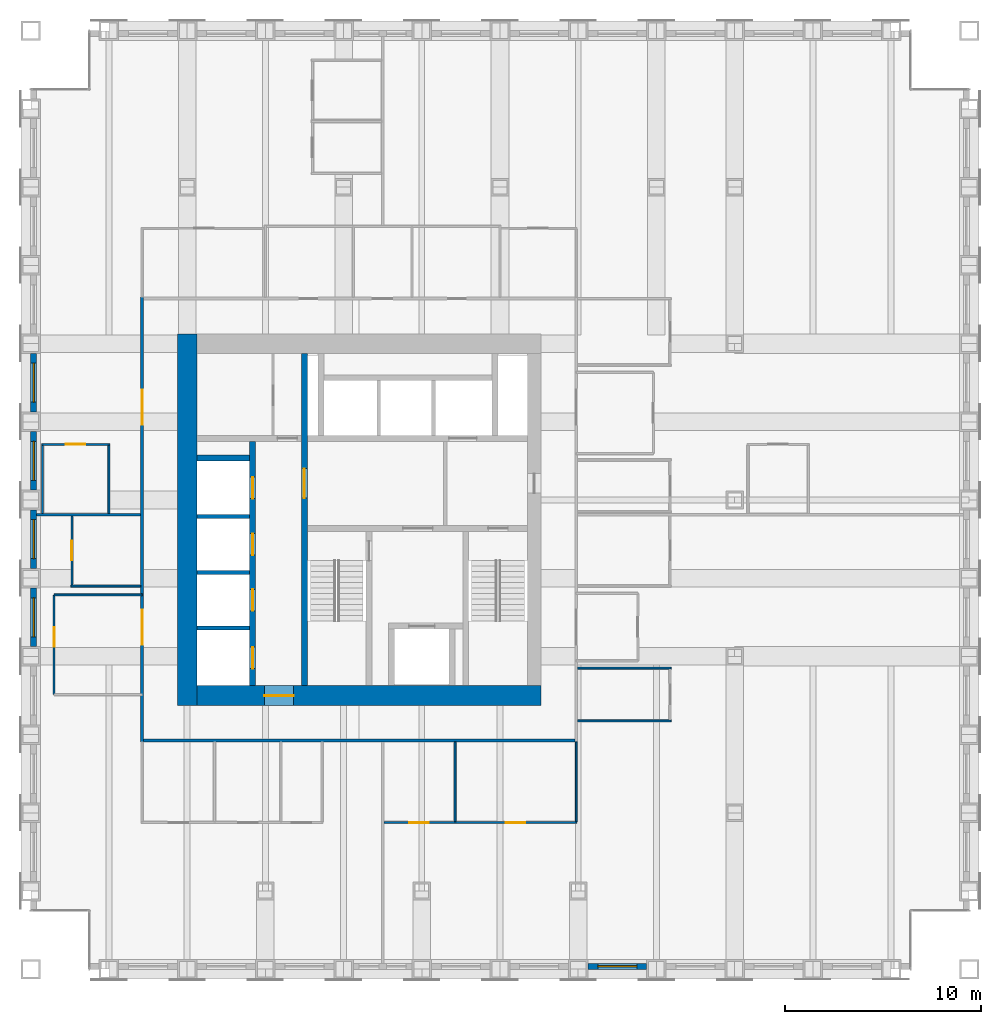
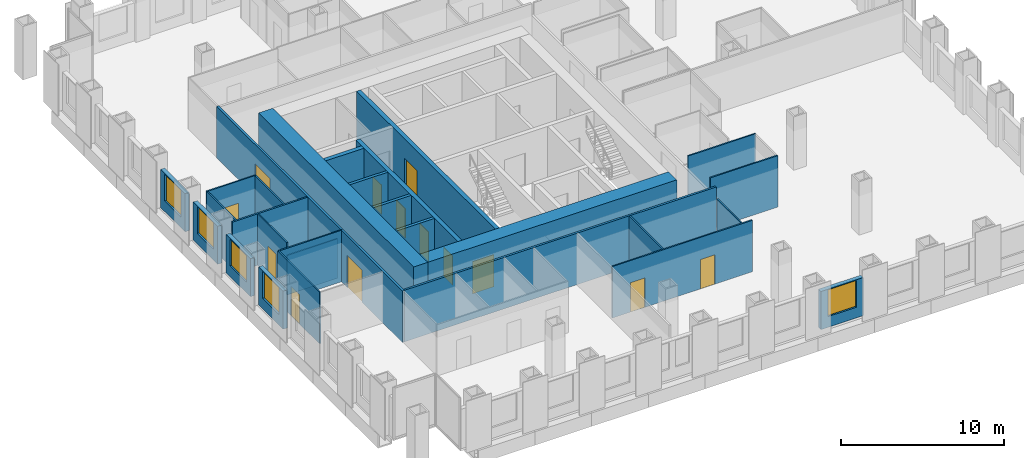
# One storey, part 11 of 16: 28 walls, 13 doors, 5 windows, 18 openings.
"""IFC4 building model written with IfcOpenShell, lengths in metres."""

from ifc_helpers import new_model, si_unit, direction, frame, frame_2d, origin, place, context, subcontext, project, spatial, rectangle, extrude, material, layer, layer_set, type_object, element, fill, save


model = new_model("IFC4")

# Units and contexts
model_context = context("Model", 3, precision=1e-05, world=origin(), true_north=direction((0.0, 1.0)))
body_context = subcontext(model_context, "Body", "Model", "MODEL_VIEW")
ifc_project = project(units=[si_unit("LENGTHUNIT", "METRE"), si_unit("AREAUNIT", "SQUARE_METRE"), si_unit("VOLUMEUNIT", "CUBIC_METRE"), si_unit("PLANEANGLEUNIT", "RADIAN"), si_unit("MASSUNIT", "GRAM", prefix="KILO")], contexts=[model_context])

# Site, building, storey
site_placement = place(None, origin())
site = spatial("IfcSite", under=ifc_project, at=site_placement, CompositionType="ELEMENT")
building_placement = place(site_placement, origin())
building = spatial("IfcBuilding", under=site, at=building_placement, Name="Rimbunsela Tower", CompositionType="ELEMENT")
storey_placement = place(building_placement, frame((0.0, 0.0, 129.39990234375)))
storey = spatial("IfcBuildingStorey", under=building, at=storey_placement, Name="L31", CompositionType="ELEMENT", Elevation=129.39990234375)

# Wall, opening, door
ifc_material_1 = material(Name="Concrete fc' 80 MPa", Category="concrete")
ifc_layer_1 = layer(ifc_material_1, 0.300048828125)
ifc_layer_set_1 = layer_set([ifc_layer_1], Name="Core internal wall 300")
wall_type_1 = type_object("IfcWallType", Name="Core internal wall 300", PredefinedType="SHEAR", material=ifc_layer_set_1)
wall_1_placement = place(storey_placement, frame((24.0, 18.5, -0.14990234375), z_axis=(0.0, 0.0, 1.0), x_axis=(0.0, 1.0, 0.0)))
wall_1 = element("IfcWall", 1, at=wall_1_placement, inside=storey, type_object=wall_type_1, Name="Core wall at stair A", PredefinedType="SHEAR", context=body_context, shape_type="SweptSolid", body=[
    extrude(rectangle(XDim=17.0, YDim=0.300048828125, at=frame_2d((8.5, 0.0))), origin(), (0.0, 0.0, 1.0), 4.0),
])
opening_1_placement = place(wall_1_placement, frame((9.60009765625, 0.0, 0.14990234375)))
opening_1 = element("IfcOpeningElement", 2, at=opening_1_placement, cuts=wall_1, Name="Opening D03", PredefinedType="OPENING", context=body_context, shape_type="SweptSolid", body=[
    extrude(rectangle(XDim=1.5, YDim=2.39990234375, at=frame_2d((0.75, 1.199951171875))), frame((0.0, 0.159912109375, 0.0), z_axis=(0.0, -1.0, 0.0), x_axis=(1.0, 0.0, 0.0)), (0.0, 0.0, 1.0), 0.320068359375),
])
ifc_material_2 = material(Name="Steel door, fire rated", Category="steel")
door_type_1 = type_object("IfcDoorType", Name="Core lobby door 1500", OperationType="DOUBLE_DOOR_DOUBLE_SWING", PredefinedType="DOOR", material=ifc_material_2)
door_1_placement = place(opening_1_placement, origin())
door_1 = element("IfcDoor", 3, at=door_1_placement, inside=storey, type_object=door_type_1, Name="West lobby door", OperationType="DOUBLE_DOOR_DOUBLE_SWING", OverallHeight=2.39990234375, OverallWidth=1.5, PredefinedType="DOOR", context=body_context, shape_type="SweptSolid", body=[
    extrude(rectangle(XDim=1.5, YDim=2.39990234375, at=frame_2d((0.75, 1.199951171875))), frame((0.0, 0.02490234375, 0.0), z_axis=(0.0, -1.0, 0.0), x_axis=(1.0, 0.0, 0.0)), (0.0, 0.0, 1.0), 0.050048828125),
])
fill(opening_1, door_1)

# Wall, openings, doors
wall_2_placement = place(storey_placement, frame((21.35009765625, 18.5, -0.14990234375), z_axis=(0.0, 0.0, 1.0), x_axis=(0.0, 1.0, 0.0)))
wall_2 = element("IfcWall", 4, at=wall_2_placement, inside=storey, type_object=wall_type_1, Name="Lift shaft front west", PredefinedType="SHEAR", context=body_context, shape_type="SweptSolid", body=[
    extrude(rectangle(XDim=12.5, YDim=0.300048828125, at=frame_2d((6.25, 0.0))), origin(), (0.0, 0.0, 1.0), 4.0),
])
opening_2_placement = place(wall_2_placement, frame((0.875, 0.0, 0.14990234375)))
opening_2 = element("IfcOpeningElement", 5, at=opening_2_placement, cuts=wall_2, Name="Opening LD1", PredefinedType="OPENING", context=body_context, shape_type="SweptSolid", body=[
    extrude(rectangle(XDim=1.10009765625, YDim=2.199951171875, at=frame_2d((0.550048828125, 1.10009765625))), frame((0.0, 0.159912109375, 0.0), z_axis=(0.0, -1.0, 0.0), x_axis=(1.0, 0.0, 0.0)), (0.0, 0.0, 1.0), 0.320068359375),
])
opening_3_placement = place(wall_2_placement, frame((3.824951171875, 0.0, 0.14990234375)))
opening_3 = element("IfcOpeningElement", 6, at=opening_3_placement, cuts=wall_2, Name="Opening LD1", PredefinedType="OPENING", context=body_context, shape_type="SweptSolid", body=[
    extrude(rectangle(XDim=1.10009765625, YDim=2.199951171875, at=frame_2d((0.550048828125, 1.10009765625))), frame((0.0, 0.159912109375, 0.0), z_axis=(0.0, -1.0, 0.0), x_axis=(1.0, 0.0, 0.0)), (0.0, 0.0, 1.0), 0.320068359375),
])
opening_4_placement = place(wall_2_placement, frame((6.675048828125, 0.0, 0.14990234375)))
opening_4 = element("IfcOpeningElement", 7, at=opening_4_placement, cuts=wall_2, Name="Opening LD1", PredefinedType="OPENING", context=body_context, shape_type="SweptSolid", body=[
    extrude(rectangle(XDim=1.10009765625, YDim=2.199951171875, at=frame_2d((0.550048828125, 1.10009765625))), frame((0.0, 0.159912109375, 0.0), z_axis=(0.0, -1.0, 0.0), x_axis=(1.0, 0.0, 0.0)), (0.0, 0.0, 1.0), 0.320068359375),
])
opening_5_placement = place(wall_2_placement, frame((9.574951171875, 0.0, 0.14990234375)))
opening_5 = element("IfcOpeningElement", 8, at=opening_5_placement, cuts=wall_2, Name="Opening LD1", PredefinedType="OPENING", context=body_context, shape_type="SweptSolid", body=[
    extrude(rectangle(XDim=1.10009765625, YDim=2.199951171875, at=frame_2d((0.550048828125, 1.10009765625))), frame((0.0, 0.159912109375, 0.0), z_axis=(0.0, -1.0, 0.0), x_axis=(1.0, 0.0, 0.0)), (0.0, 0.0, 1.0), 0.320068359375),
])
ifc_material_3 = material(Name="Steel door, fire rated", Category="steel")
door_type_2 = type_object("IfcDoorType", Name="Lift landing door 1100", OperationType="DOUBLE_DOOR_SLIDING", PredefinedType="DOOR", material=ifc_material_3)
door_2_placement = place(opening_2_placement, origin())
door_2 = element("IfcDoor", 9, at=door_2_placement, inside=storey, type_object=door_type_2, Name="Lift landing door ML1", OperationType="DOUBLE_DOOR_SLIDING", OverallHeight=2.199951171875, OverallWidth=1.10009765625, PredefinedType="DOOR", context=body_context, shape_type="SweptSolid", body=[
    extrude(rectangle(XDim=1.10009765625, YDim=2.199951171875, at=frame_2d((0.550048828125, 1.10009765625))), frame((0.0, 0.02490234375, 0.0), z_axis=(0.0, -1.0, 0.0), x_axis=(1.0, 0.0, 0.0)), (0.0, 0.0, 1.0), 0.050048828125),
])
fill(opening_2, door_2)
door_3_placement = place(opening_3_placement, origin())
door_3 = element("IfcDoor", 10, at=door_3_placement, inside=storey, type_object=door_type_2, Name="Lift landing door ML2", OperationType="DOUBLE_DOOR_SLIDING", OverallHeight=2.199951171875, OverallWidth=1.10009765625, PredefinedType="DOOR", context=body_context, shape_type="SweptSolid", body=[
    extrude(rectangle(XDim=1.10009765625, YDim=2.199951171875, at=frame_2d((0.550048828125, 1.10009765625))), frame((0.0, 0.02490234375, 0.0), z_axis=(0.0, -1.0, 0.0), x_axis=(1.0, 0.0, 0.0)), (0.0, 0.0, 1.0), 0.050048828125),
])
fill(opening_3, door_3)
door_4_placement = place(opening_4_placement, origin())
door_4 = element("IfcDoor", 11, at=door_4_placement, inside=storey, type_object=door_type_2, Name="Lift landing door ML3", OperationType="DOUBLE_DOOR_SLIDING", OverallHeight=2.199951171875, OverallWidth=1.10009765625, PredefinedType="DOOR", context=body_context, shape_type="SweptSolid", body=[
    extrude(rectangle(XDim=1.10009765625, YDim=2.199951171875, at=frame_2d((0.550048828125, 1.10009765625))), frame((0.0, 0.02490234375, 0.0), z_axis=(0.0, -1.0, 0.0), x_axis=(1.0, 0.0, 0.0)), (0.0, 0.0, 1.0), 0.050048828125),
])
fill(opening_4, door_4)
door_5_placement = place(opening_5_placement, origin())
door_5 = element("IfcDoor", 12, at=door_5_placement, inside=storey, type_object=door_type_2, Name="Lift landing door ML4", OperationType="DOUBLE_DOOR_SLIDING", OverallHeight=2.199951171875, OverallWidth=1.10009765625, PredefinedType="DOOR", context=body_context, shape_type="SweptSolid", body=[
    extrude(rectangle(XDim=1.10009765625, YDim=2.199951171875, at=frame_2d((0.550048828125, 1.10009765625))), frame((0.0, 0.02490234375, 0.0), z_axis=(0.0, -1.0, 0.0), x_axis=(1.0, 0.0, 0.0)), (0.0, 0.0, 1.0), 0.050048828125),
])
fill(opening_5, door_5)

# Walls
wall_3_placement = place(storey_placement, frame((18.5, 30.14990234375, -0.14990234375), z_axis=(0.0, 0.0, 1.0), x_axis=(1.0, 0.0, 0.0)))
element("IfcWall", 13, at=wall_3_placement, inside=storey, type_object=wall_type_1, Name="Lift shaft rear west", PredefinedType="SHEAR", context=body_context, shape_type="SweptSolid", body=[
    extrude(rectangle(XDim=2.699951171875, YDim=0.300048828125, at=frame_2d((1.35009765625, 0.0))), origin(), (0.0, 0.0, 1.0), 4.0),
])
ifc_material_4 = material(Name="Concrete fc' 80 MPa", Category="concrete")
ifc_layer_2 = layer(ifc_material_4, 1.0)
ifc_layer_set_2 = layer_set([ifc_layer_2], Name="Core wall 1000")
wall_type_2 = type_object("IfcWallType", Name="Core wall 1000", PredefinedType="SHEAR", material=ifc_layer_set_2)
wall_4_placement = place(storey_placement, frame((18.0, 17.5, -0.14990234375), z_axis=(0.0, 0.0, 1.0), x_axis=(0.0, 1.0, 0.0)))
element("IfcWall", 14, at=wall_4_placement, inside=storey, type_object=wall_type_2, Name="Core wall west", PredefinedType="SHEAR", context=body_context, shape_type="SweptSolid", body=[
    extrude(rectangle(XDim=19.0, YDim=1.0, at=frame_2d((9.5, 0.0))), origin(), (0.0, 0.0, 1.0), 4.0),
])

# Wall, opening, door
wall_5_placement = place(storey_placement, frame((18.5, 18.0, -0.14990234375), z_axis=(0.0, 0.0, 1.0), x_axis=(1.0, 0.0, 0.0)))
wall_5 = element("IfcWall", 15, at=wall_5_placement, inside=storey, type_object=wall_type_2, Name="Core wall south", PredefinedType="SHEAR", context=body_context, shape_type="SweptSolid", body=[
    extrude(rectangle(XDim=17.60009765625, YDim=1.0, at=frame_2d((8.800048828125, 0.0))), origin(), (0.0, 0.0, 1.0), 4.0),
])
opening_6_placement = place(wall_5_placement, frame((3.449951171875, 0.0, 0.14990234375)))
opening_6 = element("IfcOpeningElement", 16, at=opening_6_placement, cuts=wall_5, Name="Opening D03", PredefinedType="OPENING", context=body_context, shape_type="SweptSolid", body=[
    extrude(rectangle(XDim=1.5, YDim=2.39990234375, at=frame_2d((0.75, 1.199951171875))), frame((0.0, 0.510009765625, 0.0), z_axis=(0.0, -1.0, 0.0), x_axis=(1.0, 0.0, 0.0)), (0.0, 0.0, 1.0), 1.02001953125),
])
door_6_placement = place(opening_6_placement, origin())
door_6 = element("IfcDoor", 17, at=door_6_placement, inside=storey, type_object=door_type_1, Name="Core door south", OperationType="DOUBLE_DOOR_DOUBLE_SWING", OverallHeight=2.39990234375, OverallWidth=1.5, PredefinedType="DOOR", context=body_context, shape_type="SweptSolid", body=[
    extrude(rectangle(XDim=1.5, YDim=2.39990234375, at=frame_2d((0.75, 1.199951171875))), frame((0.0, 0.02490234375, 0.0), z_axis=(0.0, -1.0, 0.0), x_axis=(1.0, 0.0, 0.0)), (0.0, 0.0, 1.0), 0.050048828125),
])
fill(opening_6, door_6)

# Walls
ifc_material_5 = material(Name="Concrete blockwork", Category="masonry")
ifc_layer_3 = layer(ifc_material_5, 0.199951171875)
ifc_layer_set_3 = layer_set([ifc_layer_3], Name="Lift shaft wall 200")
wall_type_3 = type_object("IfcWallType", Name="Lift shaft wall 200", PredefinedType="SOLIDWALL", material=ifc_layer_set_3)
for number, where, z_axis, x_axis, name in (
    (18, (18.5, 21.449951171875, -0.14990234375), (0.0, 0.0, 1.0), (1.0, 0.0, 0.0), "Lift shaft separation"),
    (19, (18.5, 24.300048828125, -0.14990234375), (0.0, 0.0, 1.0), (1.0, 0.0, 0.0), "Lift shaft separation"),
    (20, (18.5, 27.14990234375, -0.14990234375), (0.0, 0.0, 1.0), (1.0, 0.0, 0.0), "Lift shaft separation"),
):
    element("IfcWall", number, at=place(storey_placement, frame(where, z_axis=z_axis, x_axis=x_axis)), inside=storey, type_object=wall_type_3, Name=name, PredefinedType="SOLIDWALL", context=body_context, shape_type="SweptSolid", body=[
        extrude(rectangle(XDim=2.699951171875, YDim=0.199951171875, at=frame_2d((1.35009765625, 0.0))), origin(), (0.0, 0.0, 1.0), 4.0),
    ])

# Wall, openings, doors
ifc_material_6 = material(Name="Gypsum board on steel studs", Category="steel")
ifc_layer_4 = layer(ifc_material_6, 0.10009765625)
ifc_layer_set_4 = layer_set([ifc_layer_4], Name="Office partition 100")
wall_type_4 = type_object("IfcWallType", Name="Office partition 100", PredefinedType="PARTITIONING", material=ifc_layer_set_4)
wall_6_placement = place(storey_placement, frame((28.06103515625, 11.5, 0.0), z_axis=(0.0, 0.0, 1.0), x_axis=(1.0, 0.0, 0.0)))
wall_6 = element("IfcWall", 21, at=wall_6_placement, inside=storey, type_object=wall_type_4, Name="Office partition", PredefinedType="PARTITIONING", context=body_context, shape_type="SweptSolid", body=[
    extrude(rectangle(XDim=9.888916015625, YDim=0.10009765625, at=frame_2d((4.9443359375, 0.0))), origin(), (0.0, 0.0, 1.0), 3.85009765625),
])
opening_7_placement = place(wall_6_placement, frame((1.2900390625, 0.0, 0.0)))
opening_7 = element("IfcOpeningElement", 22, at=opening_7_placement, cuts=wall_6, Name="Opening D17", PredefinedType="OPENING", context=body_context, shape_type="SweptSolid", body=[
    extrude(rectangle(XDim=1.0, YDim=2.199951171875, at=frame_2d((0.5, 1.10009765625))), frame((0.0, 0.06005859375, 0.0), z_axis=(0.0, -1.0, 0.0), x_axis=(1.0, 0.0, 0.0)), (0.0, 0.0, 1.0), 0.1201171875),
])
opening_8_placement = place(wall_6_placement, frame((6.239501953125, 0.0, 0.0)))
opening_8 = element("IfcOpeningElement", 23, at=opening_8_placement, cuts=wall_6, Name="Opening D16", PredefinedType="OPENING", context=body_context, shape_type="SweptSolid", body=[
    extrude(rectangle(XDim=1.0, YDim=2.199951171875, at=frame_2d((0.5, 1.10009765625))), frame((0.0, 0.06005859375, 0.0), z_axis=(0.0, -1.0, 0.0), x_axis=(1.0, 0.0, 0.0)), (0.0, 0.0, 1.0), 0.1201171875),
])
ifc_material_7 = material(Name="Glazed aluminium door", Category="aluminium")
door_type_3 = type_object("IfcDoorType", Name="Meeting room door 1000 glazed", OperationType="SINGLE_SWING_RIGHT", PredefinedType="DOOR", material=ifc_material_7)
door_7_placement = place(opening_7_placement, origin())
door_7 = element("IfcDoor", 24, at=door_7_placement, inside=storey, type_object=door_type_3, Name="Meeting room door", OperationType="SINGLE_SWING_RIGHT", OverallHeight=2.199951171875, OverallWidth=1.0, PredefinedType="DOOR", context=body_context, shape_type="SweptSolid", body=[
    extrude(rectangle(XDim=1.0, YDim=2.199951171875, at=frame_2d((0.5, 1.10009765625))), frame((0.0, 0.02490234375, 0.0), z_axis=(0.0, -1.0, 0.0), x_axis=(1.0, 0.0, 0.0)), (0.0, 0.0, 1.0), 0.050048828125),
])
fill(opening_7, door_7)
ifc_material_8 = material(Name="Timber door", Category="wood")
door_type_4 = type_object("IfcDoorType", Name="Office door 1000", OperationType="SINGLE_SWING_LEFT", PredefinedType="DOOR", material=ifc_material_8)
door_8_placement = place(opening_8_placement, origin())
door_8 = element("IfcDoor", 25, at=door_8_placement, inside=storey, type_object=door_type_4, Name="Office door", OperationType="SINGLE_SWING_LEFT", OverallHeight=2.199951171875, OverallWidth=1.0, PredefinedType="DOOR", context=body_context, shape_type="SweptSolid", body=[
    extrude(rectangle(XDim=1.0, YDim=2.199951171875, at=frame_2d((0.5, 1.10009765625))), frame((0.0, 0.02490234375, 0.0), z_axis=(0.0, -1.0, 0.0), x_axis=(1.0, 0.0, 0.0)), (0.0, 0.0, 1.0), 0.050048828125),
])
fill(opening_8, door_8)

# Walls
for number, where, z_axis, x_axis, name in (
    (26, (37.97509765625, 16.699951171875, 0.0), (0.0, 0.0, 1.0), (1.0, 0.0, 0.0), "Office partition"),
    (27, (37.97509765625, 19.39892578125, 0.0), (0.0, 0.0, 1.0), (1.0, 0.0, 0.0), "Office partition"),
):
    element("IfcWall", number, at=place(storey_placement, frame(where, z_axis=z_axis, x_axis=x_axis)), inside=storey, type_object=wall_type_4, Name=name, PredefinedType="PARTITIONING", context=body_context, shape_type="SweptSolid", body=[
        extrude(rectangle(XDim=4.77490234375, YDim=0.10009765625, at=frame_2d((2.387451171875, 0.0))), origin(), (0.0, 0.0, 1.0), 3.85009765625),
    ])
wall_7_placement = place(storey_placement, frame((12.050048828125, 23.59912109375, 0.0), z_axis=(0.0, 0.0, 1.0), x_axis=(1.0, 0.0, 0.0)))
element("IfcWall", 28, at=wall_7_placement, inside=storey, type_object=wall_type_4, Name="Office partition", PredefinedType="PARTITIONING", context=body_context, shape_type="SweptSolid", body=[
    extrude(rectangle(XDim=3.574951171875, YDim=0.10009765625, at=frame_2d((1.78759765625, 0.0))), origin(), (0.0, 0.0, 1.0), 2.9501953125),
])

# Wall, opening, door
wall_8_placement = place(storey_placement, frame((10.550048828125, 30.85009765625, 0.0), z_axis=(0.0, 0.0, 1.0), x_axis=(1.0, 0.0, 0.0)))
wall_8 = element("IfcWall", 29, at=wall_8_placement, inside=storey, type_object=wall_type_4, Name="Office partition", PredefinedType="PARTITIONING", context=body_context, shape_type="SweptSolid", body=[
    extrude(rectangle(XDim=3.5, YDim=0.10009765625, at=frame_2d((1.75, 0.0))), origin(), (0.0, 0.0, 1.0), 3.85009765625),
])
opening_9_placement = place(wall_8_placement, frame((1.25, 0.0, 0.0)))
opening_9 = element("IfcOpeningElement", 30, at=opening_9_placement, cuts=wall_8, Name="Opening D16", PredefinedType="OPENING", context=body_context, shape_type="SweptSolid", body=[
    extrude(rectangle(XDim=1.0, YDim=2.199951171875, at=frame_2d((0.5, 1.10009765625))), frame((0.0, 0.06005859375, 0.0), z_axis=(0.0, -1.0, 0.0), x_axis=(1.0, 0.0, 0.0)), (0.0, 0.0, 1.0), 0.1201171875),
])
door_9_placement = place(opening_9_placement, origin())
door_9 = element("IfcDoor", 31, at=door_9_placement, inside=storey, type_object=door_type_4, Name="Office door", OperationType="SINGLE_SWING_LEFT", OverallHeight=2.199951171875, OverallWidth=1.0, PredefinedType="DOOR", context=body_context, shape_type="SweptSolid", body=[
    extrude(rectangle(XDim=1.0, YDim=2.199951171875, at=frame_2d((0.5, 1.10009765625))), frame((0.0, 0.02490234375, 0.0), z_axis=(0.0, -1.0, 0.0), x_axis=(1.0, 0.0, 0.0)), (0.0, 0.0, 1.0), 0.050048828125),
])
fill(opening_9, door_9)

# Wall
wall_9_placement = place(storey_placement, frame((10.60009765625, 27.31005859375, 0.0), z_axis=(0.0, 0.0, 1.0), x_axis=(0.0, 1.0, 0.0)))
element("IfcWall", 32, at=wall_9_placement, inside=storey, type_object=wall_type_4, Name="Office partition", PredefinedType="PARTITIONING", context=body_context, shape_type="SweptSolid", body=[
    extrude(rectangle(XDim=3.489990234375, YDim=0.10009765625, at=frame_2d((1.7451171875, 0.0))), origin(), (0.0, 0.0, 1.0), 3.85009765625),
])

# Wall, opening, door
wall_10_placement = place(storey_placement, frame((12.10009765625, 23.64892578125, 0.0), z_axis=(0.0, 0.0, 1.0), x_axis=(0.0, 1.0, 0.0)))
wall_10 = element("IfcWall", 33, at=wall_10_placement, inside=storey, type_object=wall_type_4, Name="Office partition", PredefinedType="PARTITIONING", context=body_context, shape_type="SweptSolid", body=[
    extrude(rectangle(XDim=3.5400390625, YDim=0.10009765625, at=frame_2d((1.77001953125, 0.0))), origin(), (0.0, 0.0, 1.0), 3.85009765625),
])
opening_10_placement = place(wall_10_placement, frame((1.27490234375, 0.0, 0.0)))
opening_10 = element("IfcOpeningElement", 34, at=opening_10_placement, cuts=wall_10, Name="Opening D16", PredefinedType="OPENING", context=body_context, shape_type="SweptSolid", body=[
    extrude(rectangle(XDim=1.0, YDim=2.199951171875, at=frame_2d((0.5, 1.10009765625))), frame((0.0, 0.06005859375, 0.0), z_axis=(0.0, -1.0, 0.0), x_axis=(1.0, 0.0, 0.0)), (0.0, 0.0, 1.0), 0.1201171875),
])
door_10_placement = place(opening_10_placement, origin())
door_10 = element("IfcDoor", 35, at=door_10_placement, inside=storey, type_object=door_type_4, Name="Office door", OperationType="SINGLE_SWING_LEFT", OverallHeight=2.199951171875, OverallWidth=1.0, PredefinedType="DOOR", context=body_context, shape_type="SweptSolid", body=[
    extrude(rectangle(XDim=1.0, YDim=2.199951171875, at=frame_2d((0.5, 1.10009765625))), frame((0.0, 0.02490234375, 0.0), z_axis=(0.0, -1.0, 0.0), x_axis=(1.0, 0.0, 0.0)), (0.0, 0.0, 1.0), 0.050048828125),
])
fill(opening_10, door_10)

# Walls
wall_11_placement = place(storey_placement, frame((14.0, 27.31005859375, 0.0), z_axis=(0.0, 0.0, 1.0), x_axis=(0.0, 1.0, 0.0)))
element("IfcWall", 36, at=wall_11_placement, inside=storey, type_object=wall_type_4, Name="Office partition", PredefinedType="PARTITIONING", context=body_context, shape_type="SweptSolid", body=[
    extrude(rectangle(XDim=3.489990234375, YDim=0.10009765625, at=frame_2d((1.7451171875, 0.0))), origin(), (0.0, 0.0, 1.0), 3.85009765625),
])
wall_12_placement = place(storey_placement, frame((31.700927734375, 11.550048828125, 0.0), z_axis=(0.0, 0.0, 1.0), x_axis=(0.0, 1.0, 0.0)))
element("IfcWall", 37, at=wall_12_placement, inside=storey, type_object=wall_type_4, Name="Office partition", PredefinedType="PARTITIONING", context=body_context, shape_type="SweptSolid", body=[
    extrude(rectangle(XDim=4.074951171875, YDim=0.10009765625, at=frame_2d((2.03759765625, 0.0))), origin(), (0.0, 0.0, 1.0), 3.85009765625),
])
wall_13_placement = place(storey_placement, frame((37.89990234375, 11.550048828125, 0.0), z_axis=(0.0, 0.0, 1.0), x_axis=(0.0, 1.0, 0.0)))
element("IfcWall", 38, at=wall_13_placement, inside=storey, type_object=wall_type_4, Name="Office partition", PredefinedType="PARTITIONING", context=body_context, shape_type="SweptSolid", body=[
    extrude(rectangle(XDim=4.074951171875, YDim=0.10009765625, at=frame_2d((2.03759765625, 0.0))), origin(), (0.0, 0.0, 1.0), 2.9501953125),
])
wall_14_placement = place(storey_placement, frame((15.699951171875, 23.14892578125, 0.0), z_axis=(0.0, 0.0, 1.0), x_axis=(-1.0, 0.0, 0.0)))
element("IfcWall", 39, at=wall_14_placement, inside=storey, type_object=wall_type_4, Name="Office partition", PredefinedType="PARTITIONING", context=body_context, shape_type="SweptSolid", body=[
    extrude(rectangle(XDim=4.5, YDim=0.10009765625, at=frame_2d((2.25, 0.0))), origin(), (0.0, 0.0, 1.0), 3.85009765625),
])

# Wall, opening, door
wall_15_placement = place(storey_placement, frame((11.199951171875, 23.14892578125, 0.0), z_axis=(0.0, 0.0, 1.0), x_axis=(0.0, -1.0, 0.0)))
wall_15 = element("IfcWall", 40, at=wall_15_placement, inside=storey, type_object=wall_type_4, Name="Office partition", PredefinedType="PARTITIONING", context=body_context, shape_type="SweptSolid", body=[
    extrude(rectangle(XDim=5.099853515625, YDim=0.10009765625, at=frame_2d((2.5498046875, 0.0))), origin(), (0.0, 0.0, 1.0), 3.85009765625),
])
opening_11_placement = place(wall_15_placement, frame((1.64990234375, 0.0, 0.0)))
opening_11 = element("IfcOpeningElement", 41, at=opening_11_placement, cuts=wall_15, Name="Opening D17", PredefinedType="OPENING", context=body_context, shape_type="SweptSolid", body=[
    extrude(rectangle(XDim=1.0, YDim=2.199951171875, at=frame_2d((0.5, 1.10009765625))), frame((0.0, 0.06005859375, 0.0), z_axis=(0.0, -1.0, 0.0), x_axis=(1.0, 0.0, 0.0)), (0.0, 0.0, 1.0), 0.1201171875),
])
door_11_placement = place(opening_11_placement, origin())
door_11 = element("IfcDoor", 42, at=door_11_placement, inside=storey, type_object=door_type_3, Name="Reception door", OperationType="SINGLE_SWING_RIGHT", OverallHeight=2.199951171875, OverallWidth=1.0, PredefinedType="DOOR", context=body_context, shape_type="SweptSolid", body=[
    extrude(rectangle(XDim=1.0, YDim=2.199951171875, at=frame_2d((0.5, 1.10009765625))), frame((0.0, 0.02490234375, 0.0), z_axis=(0.0, -1.0, 0.0), x_axis=(1.0, 0.0, 0.0)), (0.0, 0.0, 1.0), 0.050048828125),
])
fill(opening_11, door_11)

# Wall, opening, window
ifc_material_9 = material(Name="Precast concrete fc' 35 MPa", Category="concrete")
ifc_layer_5 = layer(ifc_material_9, 0.300048828125)
ifc_layer_set_5 = layer_set([ifc_layer_5], Name="Precast concrete fc' 35 MPa")
wall_type_5 = type_object("IfcWallType", Name="Precast facade panel 300", PredefinedType="ELEMENTEDWALL", material=ifc_layer_set_5)
wall_16_placement = place(storey_placement, frame((38.5, 4.14990234375, 0.0), z_axis=(0.0, 0.0, 1.0), x_axis=(1.0, 0.0, 0.0)))
wall_16 = element("IfcWall", 43, at=wall_16_placement, inside=storey, type_object=wall_type_5, Name="Facade panel S L31", PredefinedType="ELEMENTEDWALL", context=body_context, shape_type="SweptSolid", body=[
    extrude(rectangle(XDim=3.0, YDim=0.300048828125, at=frame_2d((1.5, 0.0))), origin(), (0.0, 0.0, 1.0), 2.85009765625),
])
opening_12_placement = place(wall_16_placement, frame((0.5, 0.0, 0.800048828125)))
opening_12 = element("IfcOpeningElement", 44, at=opening_12_placement, cuts=wall_16, Name="Opening W1", PredefinedType="OPENING", context=body_context, shape_type="SweptSolid", body=[
    extrude(rectangle(XDim=2.0, YDim=2.0, at=frame_2d((1.0, 1.0))), frame((0.0, 0.159912109375, 0.0), z_axis=(0.0, -1.0, 0.0), x_axis=(1.0, 0.0, 0.0)), (0.0, 0.0, 1.0), 0.320068359375),
])
ifc_material_10 = material(Name="Clear glass in aluminium frame", Category="aluminium")
window_type = type_object("IfcWindowType", Name="Window W1 2000x2000", PartitioningType="DOUBLE_PANEL_VERTICAL", PredefinedType="WINDOW", material=ifc_material_10)
window_1_placement = place(opening_12_placement, origin())
window_1 = element("IfcWindow", 45, at=window_1_placement, inside=storey, type_object=window_type, Name="Window L31", OverallHeight=2.0, OverallWidth=2.0, PartitioningType="SINGLE_PANEL", PredefinedType="WINDOW", context=body_context, shape_type="SweptSolid", body=[
    extrude(rectangle(XDim=2.0, YDim=2.0, at=frame_2d((1.0, 1.0))), frame((0.0, 0.030029296875, 0.0), z_axis=(0.0, -1.0, 0.0), x_axis=(1.0, 0.0, 0.0)), (0.0, 0.0, 1.0), 0.06005859375),
])
fill(opening_12, window_1)

wall_17_placement = place(storey_placement, frame((10.14990234375, 23.5, 0.0), z_axis=(0.0, 0.0, 1.0), x_axis=(0.0, -1.0, 0.0)))
wall_17 = element("IfcWall", 46, at=wall_17_placement, inside=storey, type_object=wall_type_5, Name="Facade panel W L31", PredefinedType="ELEMENTEDWALL", context=body_context, shape_type="SweptSolid", body=[
    extrude(rectangle(XDim=3.0, YDim=0.300048828125, at=frame_2d((1.5, 0.0))), origin(), (0.0, 0.0, 1.0), 2.85009765625),
])
opening_13_placement = place(wall_17_placement, frame((0.5, 0.0, 0.800048828125)))
opening_13 = element("IfcOpeningElement", 47, at=opening_13_placement, cuts=wall_17, Name="Opening W1", PredefinedType="OPENING", context=body_context, shape_type="SweptSolid", body=[
    extrude(rectangle(XDim=2.0, YDim=2.0, at=frame_2d((1.0, 1.0))), frame((0.0, 0.159912109375, 0.0), z_axis=(0.0, -1.0, 0.0), x_axis=(1.0, 0.0, 0.0)), (0.0, 0.0, 1.0), 0.320068359375),
])
window_2_placement = place(opening_13_placement, origin())
window_2 = element("IfcWindow", 48, at=window_2_placement, inside=storey, type_object=window_type, Name="Window L31", OverallHeight=2.0, OverallWidth=2.0, PartitioningType="SINGLE_PANEL", PredefinedType="WINDOW", context=body_context, shape_type="SweptSolid", body=[
    extrude(rectangle(XDim=2.0, YDim=2.0, at=frame_2d((1.0, 1.0))), frame((0.0, 0.030029296875, 0.0), z_axis=(0.0, -1.0, 0.0), x_axis=(1.0, 0.0, 0.0)), (0.0, 0.0, 1.0), 0.06005859375),
])
fill(opening_13, window_2)

wall_18_placement = place(storey_placement, frame((10.14990234375, 27.5, 0.0), z_axis=(0.0, 0.0, 1.0), x_axis=(0.0, -1.0, 0.0)))
wall_18 = element("IfcWall", 49, at=wall_18_placement, inside=storey, type_object=wall_type_5, Name="Facade panel W L31", PredefinedType="ELEMENTEDWALL", context=body_context, shape_type="SweptSolid", body=[
    extrude(rectangle(XDim=3.0, YDim=0.300048828125, at=frame_2d((1.5, 0.0))), origin(), (0.0, 0.0, 1.0), 2.85009765625),
])
opening_14_placement = place(wall_18_placement, frame((0.5, 0.0, 0.800048828125)))
opening_14 = element("IfcOpeningElement", 50, at=opening_14_placement, cuts=wall_18, Name="Opening W1", PredefinedType="OPENING", context=body_context, shape_type="SweptSolid", body=[
    extrude(rectangle(XDim=2.0, YDim=2.0, at=frame_2d((1.0, 1.0))), frame((0.0, 0.159912109375, 0.0), z_axis=(0.0, -1.0, 0.0), x_axis=(1.0, 0.0, 0.0)), (0.0, 0.0, 1.0), 0.320068359375),
])
window_3_placement = place(opening_14_placement, origin())
window_3 = element("IfcWindow", 51, at=window_3_placement, inside=storey, type_object=window_type, Name="Window L31", OverallHeight=2.0, OverallWidth=2.0, PartitioningType="SINGLE_PANEL", PredefinedType="WINDOW", context=body_context, shape_type="SweptSolid", body=[
    extrude(rectangle(XDim=2.0, YDim=2.0, at=frame_2d((1.0, 1.0))), frame((0.0, 0.030029296875, 0.0), z_axis=(0.0, -1.0, 0.0), x_axis=(1.0, 0.0, 0.0)), (0.0, 0.0, 1.0), 0.06005859375),
])
fill(opening_14, window_3)

wall_19_placement = place(storey_placement, frame((10.14990234375, 31.5, 0.0), z_axis=(0.0, 0.0, 1.0), x_axis=(0.0, -1.0, 0.0)))
wall_19 = element("IfcWall", 52, at=wall_19_placement, inside=storey, type_object=wall_type_5, Name="Facade panel W L31", PredefinedType="ELEMENTEDWALL", context=body_context, shape_type="SweptSolid", body=[
    extrude(rectangle(XDim=3.0, YDim=0.300048828125, at=frame_2d((1.5, 0.0))), origin(), (0.0, 0.0, 1.0), 2.85009765625),
])
opening_15_placement = place(wall_19_placement, frame((0.5, 0.0, 0.800048828125)))
opening_15 = element("IfcOpeningElement", 53, at=opening_15_placement, cuts=wall_19, Name="Opening W1", PredefinedType="OPENING", context=body_context, shape_type="SweptSolid", body=[
    extrude(rectangle(XDim=2.0, YDim=2.0, at=frame_2d((1.0, 1.0))), frame((0.0, 0.159912109375, 0.0), z_axis=(0.0, -1.0, 0.0), x_axis=(1.0, 0.0, 0.0)), (0.0, 0.0, 1.0), 0.320068359375),
])
window_4_placement = place(opening_15_placement, origin())
window_4 = element("IfcWindow", 54, at=window_4_placement, inside=storey, type_object=window_type, Name="Window L31", OverallHeight=2.0, OverallWidth=2.0, PartitioningType="SINGLE_PANEL", PredefinedType="WINDOW", context=body_context, shape_type="SweptSolid", body=[
    extrude(rectangle(XDim=2.0, YDim=2.0, at=frame_2d((1.0, 1.0))), frame((0.0, 0.030029296875, 0.0), z_axis=(0.0, -1.0, 0.0), x_axis=(1.0, 0.0, 0.0)), (0.0, 0.0, 1.0), 0.06005859375),
])
fill(opening_15, window_4)

wall_20_placement = place(storey_placement, frame((10.14990234375, 35.5, 0.0), z_axis=(0.0, 0.0, 1.0), x_axis=(0.0, -1.0, 0.0)))
wall_20 = element("IfcWall", 55, at=wall_20_placement, inside=storey, type_object=wall_type_5, Name="Facade panel W L31", PredefinedType="ELEMENTEDWALL", context=body_context, shape_type="SweptSolid", body=[
    extrude(rectangle(XDim=3.0, YDim=0.300048828125, at=frame_2d((1.5, 0.0))), origin(), (0.0, 0.0, 1.0), 2.85009765625),
])
opening_16_placement = place(wall_20_placement, frame((0.5, 0.0, 0.800048828125)))
opening_16 = element("IfcOpeningElement", 56, at=opening_16_placement, cuts=wall_20, Name="Opening W1", PredefinedType="OPENING", context=body_context, shape_type="SweptSolid", body=[
    extrude(rectangle(XDim=2.0, YDim=2.0, at=frame_2d((1.0, 1.0))), frame((0.0, 0.159912109375, 0.0), z_axis=(0.0, -1.0, 0.0), x_axis=(1.0, 0.0, 0.0)), (0.0, 0.0, 1.0), 0.320068359375),
])
window_5_placement = place(opening_16_placement, origin())
window_5 = element("IfcWindow", 57, at=window_5_placement, inside=storey, type_object=window_type, Name="Window L31", OverallHeight=2.0, OverallWidth=2.0, PartitioningType="SINGLE_PANEL", PredefinedType="WINDOW", context=body_context, shape_type="SweptSolid", body=[
    extrude(rectangle(XDim=2.0, YDim=2.0, at=frame_2d((1.0, 1.0))), frame((0.0, 0.030029296875, 0.0), z_axis=(0.0, -1.0, 0.0), x_axis=(1.0, 0.0, 0.0)), (0.0, 0.0, 1.0), 0.06005859375),
])
fill(opening_16, window_5)

# Wall, openings, doors
ifc_material_11 = material(Name="Fire-rated gypsum board on steel studs, EI 60", Category="steel")
ifc_layer_6 = layer(ifc_material_11, 0.14990234375)
ifc_layer_set_6 = layer_set([ifc_layer_6], Name="Rated corridor wall 150")
wall_type_6 = type_object("IfcWallType", Name="Rated corridor wall 150", PredefinedType="PARTITIONING", material=ifc_layer_set_6)
wall_21_placement = place(storey_placement, frame((15.699951171875, 15.625, 0.0), z_axis=(0.0, 0.0, 1.0), x_axis=(0.0, 1.0, 0.0)))
wall_21 = element("IfcWall", 58, at=wall_21_placement, inside=storey, type_object=wall_type_6, Name="Corridor wall west", PredefinedType="PARTITIONING", context=body_context, shape_type="SweptSolid", body=[
    extrude(rectangle(XDim=22.75, YDim=0.14990234375, at=frame_2d((11.375, 0.0))), origin(), (0.0, 0.0, 1.0), 3.85009765625),
])
opening_17_placement = place(wall_21_placement, frame((4.97412109375, 0.0, 0.0)))
opening_17 = element("IfcOpeningElement", 59, at=opening_17_placement, cuts=wall_21, Name="Opening D09", PredefinedType="OPENING", context=body_context, shape_type="SweptSolid", body=[
    extrude(rectangle(XDim=1.800048828125, YDim=2.39990234375, at=frame_2d((0.89990234375, 1.199951171875))), frame((0.0, 0.0849609375, 0.0), z_axis=(0.0, -1.0, 0.0), x_axis=(1.0, 0.0, 0.0)), (0.0, 0.0, 1.0), 0.169921875),
])
opening_18_placement = place(wall_21_placement, frame((16.22607421875, 0.0, 0.0)))
opening_18 = element("IfcOpeningElement", 60, at=opening_18_placement, cuts=wall_21, Name="Opening D09", PredefinedType="OPENING", context=body_context, shape_type="SweptSolid", body=[
    extrude(rectangle(XDim=1.800048828125, YDim=2.39990234375, at=frame_2d((0.89990234375, 1.199951171875))), frame((0.0, 0.0849609375, 0.0), z_axis=(0.0, -1.0, 0.0), x_axis=(1.0, 0.0, 0.0)), (0.0, 0.0, 1.0), 0.169921875),
])
ifc_material_12 = material(Name="Glazed aluminium door, fire rated", Category="aluminium")
door_type_5 = type_object("IfcDoorType", Name="Tenancy door 1800 glazed", OperationType="DOUBLE_DOOR_DOUBLE_SWING", PredefinedType="DOOR", material=ifc_material_12)
door_12_placement = place(opening_17_placement, origin())
door_12 = element("IfcDoor", 61, at=door_12_placement, inside=storey, type_object=door_type_5, Name="Tenancy door", OperationType="DOUBLE_DOOR_DOUBLE_SWING", OverallHeight=2.39990234375, OverallWidth=1.800048828125, PredefinedType="DOOR", context=body_context, shape_type="SweptSolid", body=[
    extrude(rectangle(XDim=1.800048828125, YDim=2.39990234375, at=frame_2d((0.89990234375, 1.199951171875))), frame((0.0, 0.02490234375, 0.0), z_axis=(0.0, -1.0, 0.0), x_axis=(1.0, 0.0, 0.0)), (0.0, 0.0, 1.0), 0.050048828125),
])
fill(opening_17, door_12)
door_13_placement = place(opening_18_placement, origin())
door_13 = element("IfcDoor", 62, at=door_13_placement, inside=storey, type_object=door_type_5, Name="Tenancy door", OperationType="DOUBLE_DOOR_DOUBLE_SWING", OverallHeight=2.39990234375, OverallWidth=1.800048828125, PredefinedType="DOOR", context=body_context, shape_type="SweptSolid", body=[
    extrude(rectangle(XDim=1.800048828125, YDim=2.39990234375, at=frame_2d((0.89990234375, 1.199951171875))), frame((0.0, 0.02490234375, 0.0), z_axis=(0.0, -1.0, 0.0), x_axis=(1.0, 0.0, 0.0)), (0.0, 0.0, 1.0), 0.050048828125),
])
fill(opening_18, door_13)

# Walls
wall_22_placement = place(storey_placement, frame((15.77490234375, 15.699951171875, 0.0), z_axis=(0.0, 0.0, 1.0), x_axis=(1.0, 0.0, 0.0)))
element("IfcWall", 63, at=wall_22_placement, inside=storey, type_object=wall_type_6, Name="Corridor wall south", PredefinedType="PARTITIONING", context=body_context, shape_type="SweptSolid", body=[
    extrude(rectangle(XDim=22.050048828125, YDim=0.14990234375, at=frame_2d((11.02490234375, 0.0))), origin(), (0.0, 0.0, 1.0), 3.85009765625),
])
ifc_material_13 = material(Name="Gypsum board on steel studs", Category="steel")
ifc_layer_7 = layer(ifc_material_13, 0.1201171875)
ifc_layer_set_7 = layer_set([ifc_layer_7], Name="Tenancy partition 120")
wall_type_7 = type_object("IfcWallType", Name="Tenancy partition 120", PredefinedType="PARTITIONING", material=ifc_layer_set_7)
wall_23_placement = place(storey_placement, frame((10.300048828125, 27.25, 0.0), z_axis=(0.0, 0.0, 1.0), x_axis=(1.0, 0.0, 0.0)))
element("IfcWall", 64, at=wall_23_placement, inside=storey, type_object=wall_type_7, Name="Tenancy partition", PredefinedType="PARTITIONING", context=body_context, shape_type="SweptSolid", body=[
    extrude(rectangle(XDim=5.324951171875, YDim=0.1201171875, at=frame_2d((2.66259765625, 0.0))), origin(), (0.0, 0.0, 1.0), 3.85009765625),
])

save(model, "model.ifc")
